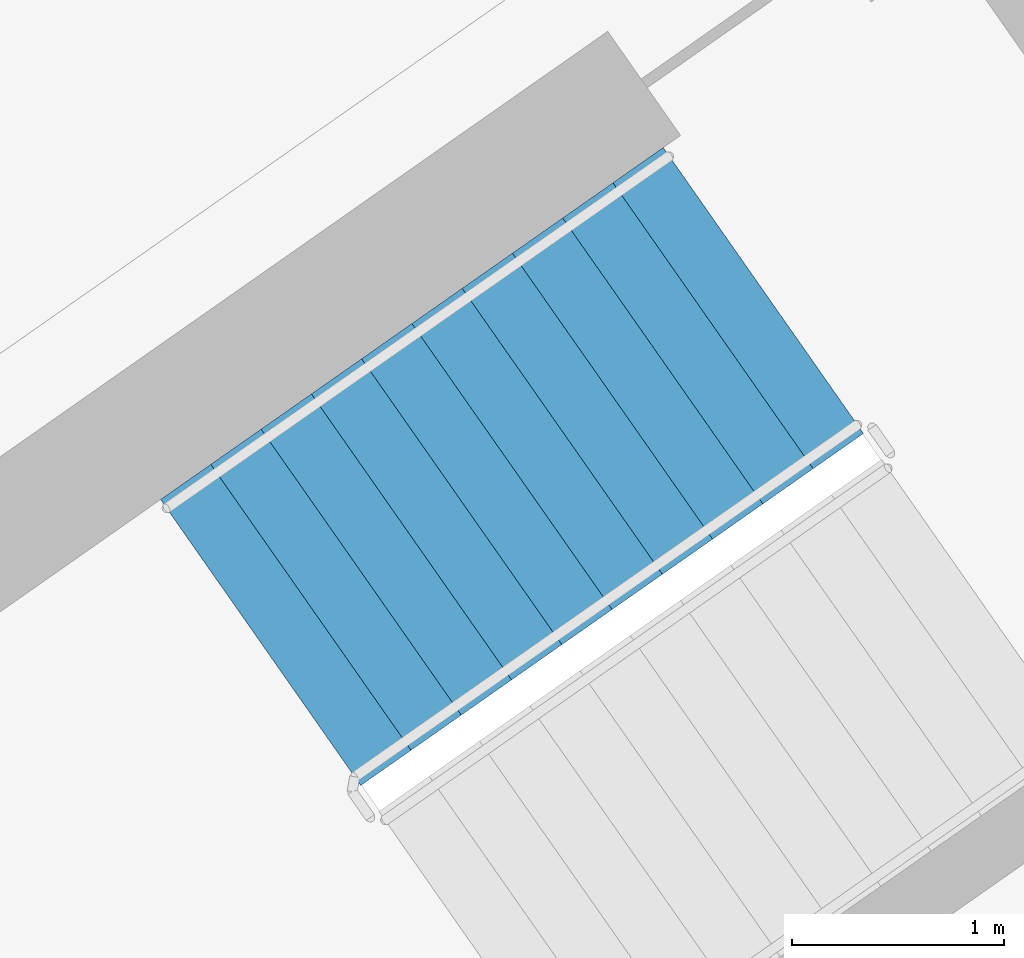
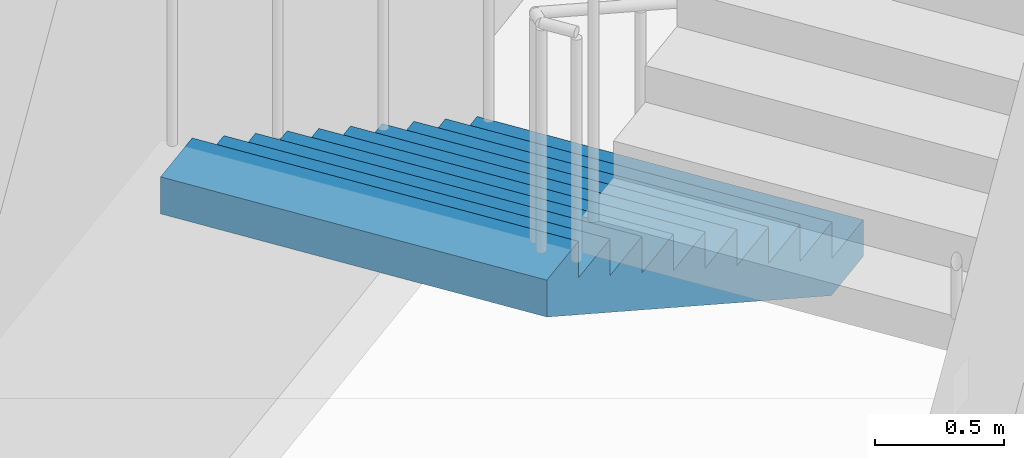
# One storey, part 16 of 28: 1 stair flight, 1 element without a shape of its own.
"""IFC4 building model written with IfcOpenShell, lengths in metres."""

from ifc_helpers import new_model, si_unit, direction, frame, origin, place, context, subcontext, project, spatial, faceted_brep, material, type_object, element, aggregate, save


model = new_model("IFC4")

# Units and contexts
model_context = context("Model", 3, precision=1e-05, world=origin(), true_north=direction((0.0, 1.0)))
body_context = subcontext(model_context, "Body", "Model", "MODEL_VIEW")
ifc_project = project(units=[si_unit("LENGTHUNIT", "METRE"), si_unit("AREAUNIT", "SQUARE_METRE"), si_unit("VOLUMEUNIT", "CUBIC_METRE"), si_unit("PLANEANGLEUNIT", "RADIAN"), si_unit("MASSUNIT", "GRAM", prefix="KILO")], contexts=[model_context])

# Site, building, storey
site_placement = place(None, origin())
site = spatial("IfcSite", under=ifc_project, at=site_placement, CompositionType="ELEMENT")
building_placement = place(site_placement, origin())
building = spatial("IfcBuilding", under=site, at=building_placement, Name="Qamariyya Broadcast Tower", CompositionType="ELEMENT")
storey_placement = place(building_placement, frame((0.0, 0.0, 241.699951171875)))
storey = spatial("IfcBuildingStorey", under=building, at=storey_placement, Name="L58", CompositionType="ELEMENT", Elevation=241.699951171875)

# Stair, stair flight
ifc_material = material(Name="Concrete C50/60", Category="concrete")
stair_type = type_object("IfcStairType", Name="Exit stair 22 risers of 173 mm", PredefinedType="HALF_TURN_STAIR", material=ifc_material)
stair_placement = place(storey_placement, origin())
stair = element("IfcStair", 1, at=stair_placement, inside=storey, type_object=stair_type, Name="L58 Stair E2", PredefinedType="HALF_TURN_STAIR")
stair_flight_type = type_object("IfcStairFlightType", Name="Exit stair flight 11 risers of 173 mm", PredefinedType="STRAIGHT", material=ifc_material)
stair_flight_placement = place(storey_placement, frame((40.558837890625, -47.685302734375, 0.0), z_axis=(0.0, 0.0, 1.0), x_axis=(-0.819152044289, -0.573576436351, 0.0)))
stair_flight = element("IfcStairFlight", 2, at=stair_flight_placement, type_object=stair_flight_type, Name="ST-E2 flight 1", NumberOfRisers=11, NumberOfTreads=10, PredefinedType="STRAIGHT", RiserHeight=0.172727273, TreadLength=0.29, context=body_context, shape_type="Brep", body=[
    faceted_brep([(0.0, 0.824951171875, 0.0), (0.0, 0.824951171875, 0.172607421875), (0.2900390625, 0.824951171875, 0.172607421875), (0.2900390625, 0.824951171875, 0.345458984375), (0.580078125, 0.824951171875, 0.345458984375), (0.580078125, 0.824951171875, 0.51806640625), (0.8701171875, 0.824951171875, 0.51806640625), (0.8701171875, 0.824951171875, 0.69091796875), (1.159912109375, 0.824951171875, 0.69091796875), (1.159912109375, 0.824951171875, 0.863525390625), (1.449951171875, 0.824951171875, 0.863525390625), (1.449951171875, 0.824951171875, 1.036376953125), (1.739990234375, 0.824951171875, 1.036376953125), (1.739990234375, 0.824951171875, 1.208984375), (2.030029296875, 0.824951171875, 1.208984375), (2.030029296875, 0.824951171875, 1.3818359375), (2.320068359375, 0.824951171875, 1.3818359375), (2.320068359375, 0.824951171875, 1.554443359375), (2.610107421875, 0.824951171875, 1.554443359375), (2.610107421875, 0.824951171875, 1.727294921875), (2.89990234375, 0.824951171875, 1.727294921875), (2.89990234375, 0.824951171875, 1.552734375), (0.29296875, 0.824951171875, 0.0), (0.29296875, -0.824951171875, 0.0), (2.89990234375, -0.824951171875, 1.552734375), (2.89990234375, -0.824951171875, 1.727294921875), (2.610107421875, -0.824951171875, 1.727294921875), (2.610107421875, -0.824951171875, 1.554443359375), (2.320068359375, -0.824951171875, 1.554443359375), (2.320068359375, -0.824951171875, 1.3818359375), (2.030029296875, -0.824951171875, 1.3818359375), (2.030029296875, -0.824951171875, 1.208984375), (1.739990234375, -0.824951171875, 1.208984375), (1.739990234375, -0.824951171875, 1.036376953125), (1.449951171875, -0.824951171875, 1.036376953125), (1.449951171875, -0.824951171875, 0.863525390625), (1.159912109375, -0.824951171875, 0.863525390625), (1.159912109375, -0.824951171875, 0.69091796875), (0.8701171875, -0.824951171875, 0.69091796875), (0.8701171875, -0.824951171875, 0.51806640625), (0.580078125, -0.824951171875, 0.51806640625), (0.580078125, -0.824951171875, 0.345458984375), (0.2900390625, -0.824951171875, 0.345458984375), (0.2900390625, -0.824951171875, 0.172607421875), (0.0, -0.824951171875, 0.172607421875), (0.0, -0.824951171875, 0.0), (0.0, 0.10009765625, 0.0), (0.0, 0.086669921875, 0.0), (0.0, 0.0732421875, 0.0), (0.0, 0.06005859375, 0.0), (0.0, 0.046630859375, 0.0), (0.0, 0.033447265625, 0.0), (0.0, 0.02001953125, 0.0), (0.0, 0.006591796875, 0.0), (0.0, -0.006591796875, 0.0), (0.0, -0.02001953125, 0.0), (0.0, -0.033447265625, 0.0), (0.0, -0.046630859375, 0.0), (0.0, -0.06005859375, 0.0), (0.0, -0.0732421875, 0.0), (0.0, -0.086669921875, 0.0), (0.0, -0.10009765625, 0.0), (0.0, -0.10009765625, 0.172607421875), (0.0, -0.086669921875, 0.172607421875), (0.0, -0.0732421875, 0.172607421875), (0.0, -0.06005859375, 0.172607421875), (0.0, -0.046630859375, 0.172607421875), (0.0, -0.033447265625, 0.172607421875), (0.0, -0.02001953125, 0.172607421875), (0.0, -0.006591796875, 0.172607421875), (0.0, 0.006591796875, 0.172607421875), (0.0, 0.02001953125, 0.172607421875), (0.0, 0.033447265625, 0.172607421875), (0.0, 0.046630859375, 0.172607421875), (0.0, 0.06005859375, 0.172607421875), (0.0, 0.0732421875, 0.172607421875), (0.0, 0.086669921875, 0.172607421875), (0.0, 0.10009765625, 0.172607421875), (0.2900390625, -0.10009765625, 0.172607421875), (0.2900390625, -0.086669921875, 0.172607421875), (0.2900390625, -0.0732421875, 0.172607421875), (0.2900390625, -0.06005859375, 0.172607421875), (0.2900390625, -0.046630859375, 0.172607421875), (0.2900390625, -0.033447265625, 0.172607421875), (0.2900390625, -0.02001953125, 0.172607421875), (0.2900390625, -0.006591796875, 0.172607421875), (0.2900390625, 0.006591796875, 0.172607421875), (0.2900390625, 0.02001953125, 0.172607421875), (0.2900390625, 0.033447265625, 0.172607421875), (0.2900390625, 0.046630859375, 0.172607421875), (0.2900390625, 0.06005859375, 0.172607421875), (0.2900390625, 0.0732421875, 0.172607421875), (0.2900390625, 0.086669921875, 0.172607421875), (0.2900390625, 0.10009765625, 0.172607421875), (0.2900390625, -0.10009765625, 0.345458984375), (0.2900390625, -0.086669921875, 0.345458984375), (0.2900390625, -0.0732421875, 0.345458984375), (0.2900390625, -0.06005859375, 0.345458984375), (0.2900390625, -0.046630859375, 0.345458984375), (0.2900390625, -0.033447265625, 0.345458984375), (0.2900390625, -0.02001953125, 0.345458984375), (0.2900390625, -0.006591796875, 0.345458984375), (0.2900390625, 0.006591796875, 0.345458984375), (0.2900390625, 0.02001953125, 0.345458984375), (0.2900390625, 0.033447265625, 0.345458984375), (0.2900390625, 0.046630859375, 0.345458984375), (0.2900390625, 0.06005859375, 0.345458984375), (0.2900390625, 0.0732421875, 0.345458984375), (0.2900390625, 0.086669921875, 0.345458984375), (0.2900390625, 0.10009765625, 0.345458984375), (0.580078125, -0.10009765625, 0.345458984375), (0.580078125, -0.086669921875, 0.345458984375), (0.580078125, -0.0732421875, 0.345458984375), (0.580078125, -0.06005859375, 0.345458984375), (0.580078125, -0.046630859375, 0.345458984375), (0.580078125, -0.033447265625, 0.345458984375), (0.580078125, -0.02001953125, 0.345458984375), (0.580078125, -0.006591796875, 0.345458984375), (0.580078125, 0.006591796875, 0.345458984375), (0.580078125, 0.02001953125, 0.345458984375), (0.580078125, 0.033447265625, 0.345458984375), (0.580078125, 0.046630859375, 0.345458984375), (0.580078125, 0.06005859375, 0.345458984375), (0.580078125, 0.0732421875, 0.345458984375), (0.580078125, 0.086669921875, 0.345458984375), (0.580078125, 0.10009765625, 0.345458984375), (0.580078125, -0.10009765625, 0.51806640625), (0.580078125, -0.086669921875, 0.51806640625), (0.580078125, -0.0732421875, 0.51806640625), (0.580078125, -0.06005859375, 0.51806640625), (0.580078125, -0.046630859375, 0.51806640625), (0.580078125, -0.033447265625, 0.51806640625), (0.580078125, -0.02001953125, 0.51806640625), (0.580078125, -0.006591796875, 0.51806640625), (0.580078125, 0.006591796875, 0.51806640625), (0.580078125, 0.02001953125, 0.51806640625), (0.580078125, 0.033447265625, 0.51806640625), (0.580078125, 0.046630859375, 0.51806640625), (0.580078125, 0.06005859375, 0.51806640625), (0.580078125, 0.0732421875, 0.51806640625), (0.580078125, 0.086669921875, 0.51806640625), (0.580078125, 0.10009765625, 0.51806640625), (0.8701171875, -0.10009765625, 0.51806640625), (0.8701171875, -0.086669921875, 0.51806640625), (0.8701171875, -0.0732421875, 0.51806640625), (0.8701171875, -0.06005859375, 0.51806640625), (0.8701171875, -0.046630859375, 0.51806640625), (0.8701171875, -0.033447265625, 0.51806640625), (0.8701171875, -0.02001953125, 0.51806640625), (0.8701171875, -0.006591796875, 0.51806640625), (0.8701171875, 0.006591796875, 0.51806640625), (0.8701171875, 0.02001953125, 0.51806640625), (0.8701171875, 0.033447265625, 0.51806640625), (0.8701171875, 0.046630859375, 0.51806640625), (0.8701171875, 0.06005859375, 0.51806640625), (0.8701171875, 0.0732421875, 0.51806640625), (0.8701171875, 0.086669921875, 0.51806640625), (0.8701171875, 0.10009765625, 0.51806640625), (0.8701171875, -0.10009765625, 0.69091796875), (0.8701171875, -0.086669921875, 0.69091796875), (0.8701171875, -0.0732421875, 0.69091796875), (0.8701171875, -0.06005859375, 0.69091796875), (0.8701171875, -0.046630859375, 0.69091796875), (0.8701171875, -0.033447265625, 0.69091796875), (0.8701171875, -0.02001953125, 0.69091796875), (0.8701171875, -0.006591796875, 0.69091796875), (0.8701171875, 0.006591796875, 0.69091796875), (0.8701171875, 0.02001953125, 0.69091796875), (0.8701171875, 0.033447265625, 0.69091796875), (0.8701171875, 0.046630859375, 0.69091796875), (0.8701171875, 0.06005859375, 0.69091796875), (0.8701171875, 0.0732421875, 0.69091796875), (0.8701171875, 0.086669921875, 0.69091796875), (0.8701171875, 0.10009765625, 0.69091796875), (1.159912109375, -0.10009765625, 0.69091796875), (1.159912109375, -0.086669921875, 0.69091796875), (1.159912109375, -0.0732421875, 0.69091796875), (1.159912109375, -0.06005859375, 0.69091796875), (1.159912109375, -0.046630859375, 0.69091796875), (1.159912109375, -0.033447265625, 0.69091796875), (1.159912109375, -0.02001953125, 0.69091796875), (1.159912109375, -0.006591796875, 0.69091796875), (1.159912109375, 0.006591796875, 0.69091796875), (1.159912109375, 0.02001953125, 0.69091796875), (1.159912109375, 0.033447265625, 0.69091796875), (1.159912109375, 0.046630859375, 0.69091796875), (1.159912109375, 0.06005859375, 0.69091796875), (1.159912109375, 0.0732421875, 0.69091796875), (1.159912109375, 0.086669921875, 0.69091796875), (1.159912109375, 0.10009765625, 0.69091796875), (1.159912109375, -0.10009765625, 0.863525390625), (1.159912109375, -0.086669921875, 0.863525390625), (1.159912109375, -0.0732421875, 0.863525390625), (1.159912109375, -0.06005859375, 0.863525390625), (1.159912109375, -0.046630859375, 0.863525390625), (1.159912109375, -0.033447265625, 0.863525390625), (1.159912109375, -0.02001953125, 0.863525390625), (1.159912109375, -0.006591796875, 0.863525390625), (1.159912109375, 0.006591796875, 0.863525390625), (1.159912109375, 0.02001953125, 0.863525390625), (1.159912109375, 0.033447265625, 0.863525390625), (1.159912109375, 0.046630859375, 0.863525390625), (1.159912109375, 0.06005859375, 0.863525390625), (1.159912109375, 0.0732421875, 0.863525390625), (1.159912109375, 0.086669921875, 0.863525390625), (1.159912109375, 0.10009765625, 0.863525390625), (1.449951171875, -0.10009765625, 0.863525390625), (1.449951171875, -0.086669921875, 0.863525390625), (1.449951171875, -0.0732421875, 0.863525390625), (1.449951171875, -0.06005859375, 0.863525390625), (1.449951171875, -0.046630859375, 0.863525390625), (1.449951171875, -0.033447265625, 0.863525390625), (1.449951171875, -0.02001953125, 0.863525390625), (1.449951171875, -0.006591796875, 0.863525390625), (1.449951171875, 0.006591796875, 0.863525390625), (1.449951171875, 0.02001953125, 0.863525390625), (1.449951171875, 0.033447265625, 0.863525390625), (1.449951171875, 0.046630859375, 0.863525390625), (1.449951171875, 0.06005859375, 0.863525390625), (1.449951171875, 0.0732421875, 0.863525390625), (1.449951171875, 0.086669921875, 0.863525390625), (1.449951171875, 0.10009765625, 0.863525390625), (1.449951171875, -0.10009765625, 1.036376953125), (1.449951171875, -0.086669921875, 1.036376953125), (1.449951171875, -0.0732421875, 1.036376953125), (1.449951171875, -0.06005859375, 1.036376953125), (1.449951171875, -0.046630859375, 1.036376953125), (1.449951171875, -0.033447265625, 1.036376953125), (1.449951171875, -0.02001953125, 1.036376953125), (1.449951171875, -0.006591796875, 1.036376953125), (1.449951171875, 0.006591796875, 1.036376953125), (1.449951171875, 0.02001953125, 1.036376953125), (1.449951171875, 0.033447265625, 1.036376953125), (1.449951171875, 0.046630859375, 1.036376953125), (1.449951171875, 0.06005859375, 1.036376953125), (1.449951171875, 0.0732421875, 1.036376953125), (1.449951171875, 0.086669921875, 1.036376953125), (1.449951171875, 0.10009765625, 1.036376953125), (1.739990234375, -0.10009765625, 1.036376953125), (1.739990234375, -0.086669921875, 1.036376953125), (1.739990234375, -0.0732421875, 1.036376953125), (1.739990234375, -0.06005859375, 1.036376953125), (1.739990234375, -0.046630859375, 1.036376953125), (1.739990234375, -0.033447265625, 1.036376953125), (1.739990234375, -0.02001953125, 1.036376953125), (1.739990234375, -0.006591796875, 1.036376953125), (1.739990234375, 0.006591796875, 1.036376953125), (1.739990234375, 0.02001953125, 1.036376953125), (1.739990234375, 0.033447265625, 1.036376953125), (1.739990234375, 0.046630859375, 1.036376953125), (1.739990234375, 0.06005859375, 1.036376953125), (1.739990234375, 0.0732421875, 1.036376953125), (1.739990234375, 0.086669921875, 1.036376953125), (1.739990234375, 0.10009765625, 1.036376953125), (1.739990234375, -0.10009765625, 1.208984375), (1.739990234375, -0.086669921875, 1.208984375), (1.739990234375, -0.0732421875, 1.208984375), (1.739990234375, -0.06005859375, 1.208984375), (1.739990234375, -0.046630859375, 1.208984375), (1.739990234375, -0.033447265625, 1.208984375), (1.739990234375, -0.02001953125, 1.208984375), (1.739990234375, -0.006591796875, 1.208984375), (1.739990234375, 0.006591796875, 1.208984375), (1.739990234375, 0.02001953125, 1.208984375), (1.739990234375, 0.033447265625, 1.208984375), (1.739990234375, 0.046630859375, 1.208984375), (1.739990234375, 0.06005859375, 1.208984375), (1.739990234375, 0.0732421875, 1.208984375), (1.739990234375, 0.086669921875, 1.208984375), (1.739990234375, 0.10009765625, 1.208984375), (2.030029296875, -0.10009765625, 1.208984375), (2.030029296875, -0.086669921875, 1.208984375), (2.030029296875, -0.0732421875, 1.208984375), (2.030029296875, -0.06005859375, 1.208984375), (2.030029296875, -0.046630859375, 1.208984375), (2.030029296875, -0.033447265625, 1.208984375), (2.030029296875, -0.02001953125, 1.208984375), (2.030029296875, -0.006591796875, 1.208984375), (2.030029296875, 0.006591796875, 1.208984375), (2.030029296875, 0.02001953125, 1.208984375), (2.030029296875, 0.033447265625, 1.208984375), (2.030029296875, 0.046630859375, 1.208984375), (2.030029296875, 0.06005859375, 1.208984375), (2.030029296875, 0.0732421875, 1.208984375), (2.030029296875, 0.086669921875, 1.208984375), (2.030029296875, 0.10009765625, 1.208984375), (2.030029296875, -0.10009765625, 1.3818359375), (2.030029296875, -0.086669921875, 1.3818359375), (2.030029296875, -0.0732421875, 1.3818359375), (2.030029296875, -0.06005859375, 1.3818359375), (2.030029296875, -0.046630859375, 1.3818359375), (2.030029296875, -0.033447265625, 1.3818359375), (2.030029296875, -0.02001953125, 1.3818359375), (2.030029296875, -0.006591796875, 1.3818359375), (2.030029296875, 0.006591796875, 1.3818359375), (2.030029296875, 0.02001953125, 1.3818359375), (2.030029296875, 0.033447265625, 1.3818359375), (2.030029296875, 0.046630859375, 1.3818359375), (2.030029296875, 0.06005859375, 1.3818359375), (2.030029296875, 0.0732421875, 1.3818359375), (2.030029296875, 0.086669921875, 1.3818359375), (2.030029296875, 0.10009765625, 1.3818359375), (2.320068359375, -0.10009765625, 1.3818359375), (2.320068359375, -0.086669921875, 1.3818359375), (2.320068359375, -0.0732421875, 1.3818359375), (2.320068359375, -0.06005859375, 1.3818359375), (2.320068359375, -0.046630859375, 1.3818359375), (2.320068359375, -0.033447265625, 1.3818359375), (2.320068359375, -0.02001953125, 1.3818359375), (2.320068359375, -0.006591796875, 1.3818359375), (2.320068359375, 0.006591796875, 1.3818359375), (2.320068359375, 0.02001953125, 1.3818359375), (2.320068359375, 0.033447265625, 1.3818359375), (2.320068359375, 0.046630859375, 1.3818359375), (2.320068359375, 0.06005859375, 1.3818359375), (2.320068359375, 0.0732421875, 1.3818359375), (2.320068359375, 0.086669921875, 1.3818359375), (2.320068359375, 0.10009765625, 1.3818359375), (2.320068359375, -0.10009765625, 1.554443359375), (2.320068359375, -0.086669921875, 1.554443359375), (2.320068359375, -0.0732421875, 1.554443359375), (2.320068359375, -0.06005859375, 1.554443359375), (2.320068359375, -0.046630859375, 1.554443359375), (2.320068359375, -0.033447265625, 1.554443359375), (2.320068359375, -0.02001953125, 1.554443359375), (2.320068359375, -0.006591796875, 1.554443359375), (2.320068359375, 0.006591796875, 1.554443359375), (2.320068359375, 0.02001953125, 1.554443359375), (2.320068359375, 0.033447265625, 1.554443359375), (2.320068359375, 0.046630859375, 1.554443359375), (2.320068359375, 0.06005859375, 1.554443359375), (2.320068359375, 0.0732421875, 1.554443359375), (2.320068359375, 0.086669921875, 1.554443359375), (2.320068359375, 0.10009765625, 1.554443359375), (2.610107421875, -0.10009765625, 1.554443359375), (2.610107421875, -0.086669921875, 1.554443359375), (2.610107421875, -0.0732421875, 1.554443359375), (2.610107421875, -0.06005859375, 1.554443359375), (2.610107421875, -0.046630859375, 1.554443359375), (2.610107421875, -0.033447265625, 1.554443359375), (2.610107421875, -0.02001953125, 1.554443359375), (2.610107421875, -0.006591796875, 1.554443359375), (2.610107421875, 0.006591796875, 1.554443359375), (2.610107421875, 0.02001953125, 1.554443359375), (2.610107421875, 0.033447265625, 1.554443359375), (2.610107421875, 0.046630859375, 1.554443359375), (2.610107421875, 0.06005859375, 1.554443359375), (2.610107421875, 0.0732421875, 1.554443359375), (2.610107421875, 0.086669921875, 1.554443359375), (2.610107421875, 0.10009765625, 1.554443359375), (2.610107421875, -0.10009765625, 1.727294921875), (2.610107421875, -0.086669921875, 1.727294921875), (2.610107421875, -0.0732421875, 1.727294921875), (2.610107421875, -0.06005859375, 1.727294921875), (2.610107421875, -0.046630859375, 1.727294921875), (2.610107421875, -0.033447265625, 1.727294921875), (2.610107421875, -0.02001953125, 1.727294921875), (2.610107421875, -0.006591796875, 1.727294921875), (2.610107421875, 0.006591796875, 1.727294921875), (2.610107421875, 0.02001953125, 1.727294921875), (2.610107421875, 0.033447265625, 1.727294921875), (2.610107421875, 0.046630859375, 1.727294921875), (2.610107421875, 0.06005859375, 1.727294921875), (2.610107421875, 0.0732421875, 1.727294921875), (2.610107421875, 0.086669921875, 1.727294921875), (2.610107421875, 0.10009765625, 1.727294921875), (2.89990234375, -0.10009765625, 1.727294921875), (2.89990234375, -0.086669921875, 1.727294921875), (2.89990234375, -0.0732421875, 1.727294921875), (2.89990234375, -0.06005859375, 1.727294921875), (2.89990234375, -0.046630859375, 1.727294921875), (2.89990234375, -0.033447265625, 1.727294921875), (2.89990234375, -0.02001953125, 1.727294921875), (2.89990234375, -0.006591796875, 1.727294921875), (2.89990234375, 0.006591796875, 1.727294921875), (2.89990234375, 0.02001953125, 1.727294921875), (2.89990234375, 0.033447265625, 1.727294921875), (2.89990234375, 0.046630859375, 1.727294921875), (2.89990234375, 0.06005859375, 1.727294921875), (2.89990234375, 0.0732421875, 1.727294921875), (2.89990234375, 0.086669921875, 1.727294921875), (2.89990234375, 0.10009765625, 1.727294921875), (2.89990234375, -0.10009765625, 1.552734375), (2.89990234375, -0.086669921875, 1.552734375), (2.89990234375, -0.0732421875, 1.552734375), (2.89990234375, -0.06005859375, 1.552734375), (2.89990234375, -0.046630859375, 1.552734375), (2.89990234375, -0.033447265625, 1.552734375), (2.89990234375, -0.02001953125, 1.552734375), (2.89990234375, -0.006591796875, 1.552734375), (2.89990234375, 0.006591796875, 1.552734375), (2.89990234375, 0.02001953125, 1.552734375), (2.89990234375, 0.033447265625, 1.552734375), (2.89990234375, 0.046630859375, 1.552734375), (2.89990234375, 0.06005859375, 1.552734375), (2.89990234375, 0.0732421875, 1.552734375), (2.89990234375, 0.086669921875, 1.552734375), (2.89990234375, 0.10009765625, 1.552734375), (0.29296875, -0.10009765625, 0.0), (0.29296875, -0.086669921875, 0.0), (0.29296875, -0.0732421875, 0.0), (0.29296875, -0.06005859375, 0.0), (0.29296875, -0.046630859375, 0.0), (0.29296875, -0.033447265625, 0.0), (0.29296875, -0.02001953125, 0.0), (0.29296875, -0.006591796875, 0.0), (0.29296875, 0.006591796875, 0.0), (0.29296875, 0.02001953125, 0.0), (0.29296875, 0.033447265625, 0.0), (0.29296875, 0.046630859375, 0.0), (0.29296875, 0.06005859375, 0.0), (0.29296875, 0.0732421875, 0.0), (0.29296875, 0.086669921875, 0.0), (0.29296875, 0.10009765625, 0.0)], [[[0, 1, 2, 3, 4, 5, 6, 7, 8, 9, 10, 11, 12, 13, 14, 15, 16, 17, 18, 19, 20, 21, 22]], [[23, 24, 25, 26, 27, 28, 29, 30, 31, 32, 33, 34, 35, 36, 37, 38, 39, 40, 41, 42, 43, 44, 45]], [[0, 46, 47, 48, 49, 50, 51, 52, 53, 54, 55, 56, 57, 58, 59, 60, 61, 45, 44, 62, 63, 64, 65, 66, 67, 68, 69, 70, 71, 72, 73, 74, 75, 76, 77, 1]], [[1, 77, 76, 75, 74, 73, 72, 71, 70, 69, 68, 67, 66, 65, 64, 63, 62, 44, 43, 78, 79, 80, 81, 82, 83, 84, 85, 86, 87, 88, 89, 90, 91, 92, 93, 2]], [[2, 93, 92, 91, 90, 89, 88, 87, 86, 85, 84, 83, 82, 81, 80, 79, 78, 43, 42, 94, 95, 96, 97, 98, 99, 100, 101, 102, 103, 104, 105, 106, 107, 108, 109, 3]], [[3, 109, 108, 107, 106, 105, 104, 103, 102, 101, 100, 99, 98, 97, 96, 95, 94, 42, 41, 110, 111, 112, 113, 114, 115, 116, 117, 118, 119, 120, 121, 122, 123, 124, 125, 4]], [[4, 125, 124, 123, 122, 121, 120, 119, 118, 117, 116, 115, 114, 113, 112, 111, 110, 41, 40, 126, 127, 128, 129, 130, 131, 132, 133, 134, 135, 136, 137, 138, 139, 140, 141, 5]], [[5, 141, 140, 139, 138, 137, 136, 135, 134, 133, 132, 131, 130, 129, 128, 127, 126, 40, 39, 142, 143, 144, 145, 146, 147, 148, 149, 150, 151, 152, 153, 154, 155, 156, 157, 6]], [[6, 157, 156, 155, 154, 153, 152, 151, 150, 149, 148, 147, 146, 145, 144, 143, 142, 39, 38, 158, 159, 160, 161, 162, 163, 164, 165, 166, 167, 168, 169, 170, 171, 172, 173, 7]], [[7, 173, 172, 171, 170, 169, 168, 167, 166, 165, 164, 163, 162, 161, 160, 159, 158, 38, 37, 174, 175, 176, 177, 178, 179, 180, 181, 182, 183, 184, 185, 186, 187, 188, 189, 8]], [[8, 189, 188, 187, 186, 185, 184, 183, 182, 181, 180, 179, 178, 177, 176, 175, 174, 37, 36, 190, 191, 192, 193, 194, 195, 196, 197, 198, 199, 200, 201, 202, 203, 204, 205, 9]], [[9, 205, 204, 203, 202, 201, 200, 199, 198, 197, 196, 195, 194, 193, 192, 191, 190, 36, 35, 206, 207, 208, 209, 210, 211, 212, 213, 214, 215, 216, 217, 218, 219, 220, 221, 10]], [[10, 221, 220, 219, 218, 217, 216, 215, 214, 213, 212, 211, 210, 209, 208, 207, 206, 35, 34, 222, 223, 224, 225, 226, 227, 228, 229, 230, 231, 232, 233, 234, 235, 236, 237, 11]], [[11, 237, 236, 235, 234, 233, 232, 231, 230, 229, 228, 227, 226, 225, 224, 223, 222, 34, 33, 238, 239, 240, 241, 242, 243, 244, 245, 246, 247, 248, 249, 250, 251, 252, 253, 12]], [[12, 253, 252, 251, 250, 249, 248, 247, 246, 245, 244, 243, 242, 241, 240, 239, 238, 33, 32, 254, 255, 256, 257, 258, 259, 260, 261, 262, 263, 264, 265, 266, 267, 268, 269, 13]], [[13, 269, 268, 267, 266, 265, 264, 263, 262, 261, 260, 259, 258, 257, 256, 255, 254, 32, 31, 270, 271, 272, 273, 274, 275, 276, 277, 278, 279, 280, 281, 282, 283, 284, 285, 14]], [[14, 285, 284, 283, 282, 281, 280, 279, 278, 277, 276, 275, 274, 273, 272, 271, 270, 31, 30, 286, 287, 288, 289, 290, 291, 292, 293, 294, 295, 296, 297, 298, 299, 300, 301, 15]], [[15, 301, 300, 299, 298, 297, 296, 295, 294, 293, 292, 291, 290, 289, 288, 287, 286, 30, 29, 302, 303, 304, 305, 306, 307, 308, 309, 310, 311, 312, 313, 314, 315, 316, 317, 16]], [[16, 317, 316, 315, 314, 313, 312, 311, 310, 309, 308, 307, 306, 305, 304, 303, 302, 29, 28, 318, 319, 320, 321, 322, 323, 324, 325, 326, 327, 328, 329, 330, 331, 332, 333, 17]], [[17, 333, 332, 331, 330, 329, 328, 327, 326, 325, 324, 323, 322, 321, 320, 319, 318, 28, 27, 334, 335, 336, 337, 338, 339, 340, 341, 342, 343, 344, 345, 346, 347, 348, 349, 18]], [[18, 349, 348, 347, 346, 345, 344, 343, 342, 341, 340, 339, 338, 337, 336, 335, 334, 27, 26, 350, 351, 352, 353, 354, 355, 356, 357, 358, 359, 360, 361, 362, 363, 364, 365, 19]], [[19, 365, 364, 363, 362, 361, 360, 359, 358, 357, 356, 355, 354, 353, 352, 351, 350, 26, 25, 366, 367, 368, 369, 370, 371, 372, 373, 374, 375, 376, 377, 378, 379, 380, 381, 20]], [[20, 381, 380, 379, 378, 377, 376, 375, 374, 373, 372, 371, 370, 369, 368, 367, 366, 25, 24, 382, 383, 384, 385, 386, 387, 388, 389, 390, 391, 392, 393, 394, 395, 396, 397, 21]], [[21, 397, 396, 395, 394, 393, 392, 391, 390, 389, 388, 387, 386, 385, 384, 383, 382, 24, 23, 398, 399, 400, 401, 402, 403, 404, 405, 406, 407, 408, 409, 410, 411, 412, 413, 22]], [[22, 413, 412, 411, 410, 409, 408, 407, 406, 405, 404, 403, 402, 401, 400, 399, 398, 23, 45, 61, 60, 59, 58, 57, 56, 55, 54, 53, 52, 51, 50, 49, 48, 47, 46, 0]]]),
])
aggregate(stair, [stair_flight])

save(model, "model.ifc")
